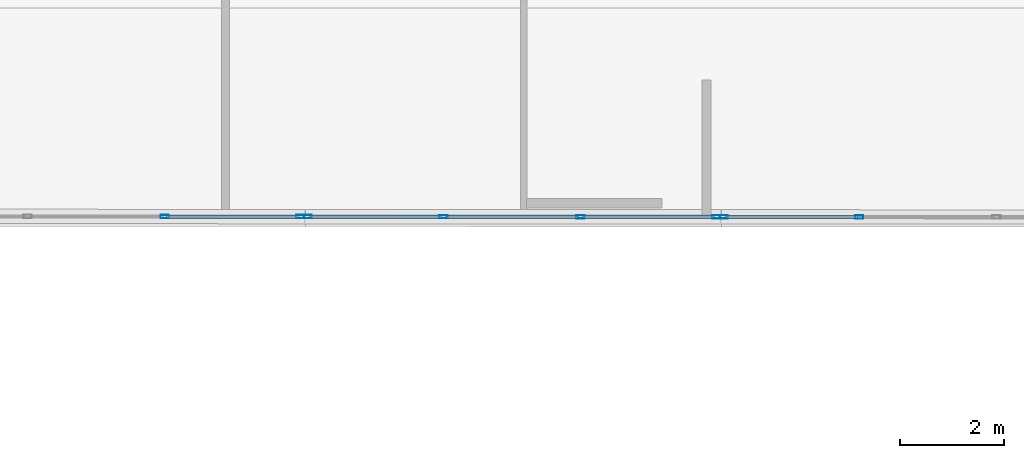
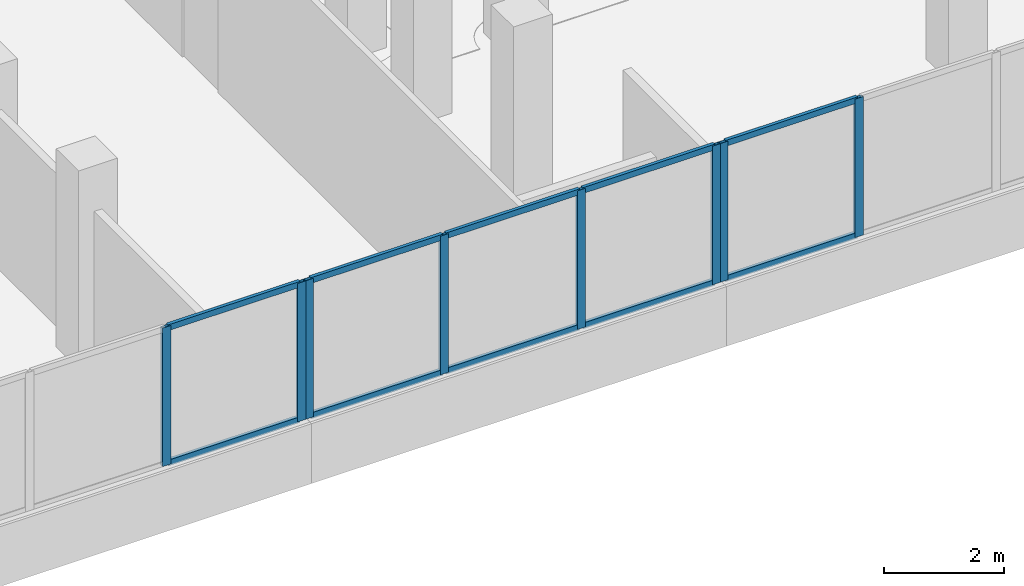
# One storey, part 29 of 101: 18 members, 3 elements without a shape of their own.
"""IFC4 building model written with IfcOpenShell, lengths in metres."""

from ifc_helpers import new_model, si_unit, direction, frame, origin, origin_2d, place, context, subcontext, project, spatial, hollow_rectangle, extrude, material, material_profile, profile_set, type_object, element, aggregate, save


model = new_model("IFC4")

# Units and contexts
model_context = context("Model", 3, precision=1e-05, world=origin(), true_north=direction((0.0, 1.0)))
body_context = subcontext(model_context, "Body", "Model", "MODEL_VIEW")
ifc_project = project(units=[si_unit("LENGTHUNIT", "METRE"), si_unit("AREAUNIT", "SQUARE_METRE"), si_unit("VOLUMEUNIT", "CUBIC_METRE"), si_unit("PLANEANGLEUNIT", "RADIAN"), si_unit("MASSUNIT", "GRAM", prefix="KILO")], contexts=[model_context])

# Site, building, storey
site_placement = place(None, origin())
site = spatial("IfcSite", under=ifc_project, at=site_placement, CompositionType="ELEMENT")
building_placement = place(site_placement, origin())
building = spatial("IfcBuilding", under=site, at=building_placement, Name="Selatvlak General Hospital", CompositionType="ELEMENT")
storey_placement = place(building_placement, frame((0.0, 0.0, 19.199951171875)))
storey = spatial("IfcBuildingStorey", under=building, at=storey_placement, Name="L04", CompositionType="ELEMENT", Elevation=19.199951171875)

# Curtain wall, members
ifc_material_1 = material(Name="Solar-control Low-E double glazing", Category="glass")
curtain_wall_type_1 = type_object("IfcCurtainWallType", Name="CW-CW-02", PredefinedType="USERDEFINED", material=ifc_material_1)
curtain_wall_1_placement = place(storey_placement, origin())
curtain_wall_1 = element("IfcCurtainWall", 1, at=curtain_wall_1_placement, inside=storey, type_object=curtain_wall_type_1, Name="Glazed facade curtain wall CW-L04-0513", ObjectType="UNITISED CURTAIN WALL", PredefinedType="USERDEFINED")
ifc_material_2 = material(Name="Dark anodised aluminium mullion", Category="aluminium")
ifc_material_profile_1 = material_profile(ifc_material_2, hollow_rectangle(XDim=0.06494140625, YDim=0.159912109375, WallThickness=0.00390625, at=origin_2d()), Name="AL-MUL 65x160x4")
ifc_profile_set_1 = profile_set([ifc_material_profile_1], Name="Dark anodised aluminium mullion")
member_type_1 = type_object("IfcMemberType", Name="CWM-01", PredefinedType="MULLION", material=ifc_profile_set_1)
member_1_placement = place(storey_placement, frame((60.20166015625, 83.975341796875, 0.93994140625), z_axis=(0.0, 0.0, 1.0), x_axis=(-0.000630675957, -0.999999801124, 0.0)))
member_1 = element("IfcMember", 2, at=member_1_placement, type_object=member_type_1, Name="CW-02 mullion 3", PredefinedType="MULLION", context=body_context, shape_type="SweptSolid", body=[
    extrude(hollow_rectangle(XDim=0.06494140625, YDim=0.159912109375, WallThickness=0.00390625, at=origin_2d()), origin(), (0.0, 0.0, 1.0), 2.830078125),
])
member_2_placement = place(storey_placement, frame((57.591552734375, 83.97705078125, 0.93994140625), z_axis=(0.0, 0.0, 1.0), x_axis=(-0.000630675957, -0.999999801124, 0.0)))
member_2 = element("IfcMember", 3, at=member_2_placement, type_object=member_type_1, Name="CW-02 mullion 4", PredefinedType="MULLION", context=body_context, shape_type="SweptSolid", body=[
    extrude(hollow_rectangle(XDim=0.06494140625, YDim=0.159912109375, WallThickness=0.00390625, at=origin_2d()), origin(), (0.0, 0.0, 1.0), 2.830078125),
])

curtain_wall_type_2 = type_object("IfcCurtainWallType", Name="CW-CW-01", PredefinedType="USERDEFINED", material=ifc_material_1)
curtain_wall_2_placement = place(storey_placement, origin())
curtain_wall_2 = element("IfcCurtainWall", 4, at=curtain_wall_2_placement, inside=storey, type_object=curtain_wall_type_2, Name="Glazed facade curtain wall CW-L04-0514", ObjectType="UNITISED CURTAIN WALL", PredefinedType="USERDEFINED")
member_3_placement = place(storey_placement, frame((57.446533203125, 83.97705078125, 0.93994140625), z_axis=(0.0, 0.0, 1.0), x_axis=(-0.000630675957, -0.999999801124, 0.0)))
member_3 = element("IfcMember", 5, at=member_3_placement, type_object=member_type_1, Name="CW-01 mullion 1", PredefinedType="MULLION", context=body_context, shape_type="SweptSolid", body=[
    extrude(hollow_rectangle(XDim=0.06494140625, YDim=0.159912109375, WallThickness=0.00390625, at=origin_2d()), origin(), (0.0, 0.0, 1.0), 2.830078125),
])
member_4_placement = place(storey_placement, frame((54.83642578125, 83.978759765625, 0.93994140625), z_axis=(0.0, 0.0, 1.0), x_axis=(-0.000630675957, -0.999999801124, 0.0)))
member_4 = element("IfcMember", 6, at=member_4_placement, type_object=member_type_1, Name="CW-01 mullion 2", PredefinedType="MULLION", context=body_context, shape_type="SweptSolid", body=[
    extrude(hollow_rectangle(XDim=0.06494140625, YDim=0.159912109375, WallThickness=0.00390625, at=origin_2d()), origin(), (0.0, 0.0, 1.0), 2.830078125),
])
member_5_placement = place(storey_placement, frame((52.193603515625, 83.980224609375, 0.93994140625), z_axis=(0.0, 0.0, 1.0), x_axis=(-0.000630675957, -0.999999801124, 0.0)))
member_5 = element("IfcMember", 7, at=member_5_placement, type_object=member_type_1, Name="CW-01 mullion 3", PredefinedType="MULLION", context=body_context, shape_type="SweptSolid", body=[
    extrude(hollow_rectangle(XDim=0.06494140625, YDim=0.159912109375, WallThickness=0.00390625, at=origin_2d()), origin(), (0.0, 0.0, 1.0), 2.830078125),
])
member_6_placement = place(storey_placement, frame((49.58349609375, 83.98193359375, 0.93994140625), z_axis=(0.0, 0.0, 1.0), x_axis=(-0.000630675957, -0.999999801124, 0.0)))
member_6 = element("IfcMember", 8, at=member_6_placement, type_object=member_type_1, Name="CW-01 mullion 4", PredefinedType="MULLION", context=body_context, shape_type="SweptSolid", body=[
    extrude(hollow_rectangle(XDim=0.06494140625, YDim=0.159912109375, WallThickness=0.00390625, at=origin_2d()), origin(), (0.0, 0.0, 1.0), 2.830078125),
])

curtain_wall_3_placement = place(storey_placement, origin())
curtain_wall_3 = element("IfcCurtainWall", 9, at=curtain_wall_3_placement, inside=storey, type_object=curtain_wall_type_1, Name="Glazed facade curtain wall CW-L04-0515", ObjectType="UNITISED CURTAIN WALL", PredefinedType="USERDEFINED")
member_7_placement = place(storey_placement, frame((49.4384765625, 83.98193359375, 0.93994140625), z_axis=(0.0, 0.0, 1.0), x_axis=(-0.000756811082, -0.999999713618, 0.0)))
member_7 = element("IfcMember", 10, at=member_7_placement, type_object=member_type_1, Name="CW-02 mullion 1", PredefinedType="MULLION", context=body_context, shape_type="SweptSolid", body=[
    extrude(hollow_rectangle(XDim=0.06494140625, YDim=0.159912109375, WallThickness=0.00390625, at=origin_2d()), origin(), (0.0, 0.0, 1.0), 2.830078125),
])
member_8_placement = place(storey_placement, frame((46.828369140625, 83.98388671875, 0.93994140625), z_axis=(0.0, 0.0, 1.0), x_axis=(-0.000756811082, -0.999999713618, 0.0)))
member_8 = element("IfcMember", 11, at=member_8_placement, type_object=member_type_1, Name="CW-02 mullion 2", PredefinedType="MULLION", context=body_context, shape_type="SweptSolid", body=[
    extrude(hollow_rectangle(XDim=0.06494140625, YDim=0.159912109375, WallThickness=0.00390625, at=origin_2d()), origin(), (0.0, 0.0, 1.0), 2.830078125),
])

# Member
ifc_material_profile_2 = material_profile(ifc_material_2, hollow_rectangle(XDim=0.06494140625, YDim=0.1201171875, WallThickness=0.00390625, at=origin_2d()), Name="AL-TRN 65x120x4")
ifc_profile_set_2 = profile_set([ifc_material_profile_2], Name="Dark anodised aluminium mullion")
member_type_2 = type_object("IfcMemberType", Name="CWT-01", PredefinedType="USERDEFINED", material=ifc_profile_set_2)
member_9_placement = place(storey_placement, frame((60.169189453125, 83.975341796875, 0.97265625), z_axis=(-0.999999774569, 0.000671462678, 0.0), x_axis=(-0.000671462678, -0.999999774569, 0.0)))
member_9 = element("IfcMember", 12, at=member_9_placement, type_object=member_type_2, Name="CW-02 transom 3.1", ObjectType="TRANSOM", PredefinedType="USERDEFINED", context=body_context, shape_type="SweptSolid", body=[
    extrude(hollow_rectangle(XDim=0.06494140625, YDim=0.1201171875, WallThickness=0.00390625, at=origin_2d()), origin(), (0.0, 0.0, 1.0), 2.545166015625),
])

member_10_placement = place(storey_placement, frame((60.169189453125, 83.975341796875, 3.737548828125), z_axis=(-0.999999774569, 0.000671462678, 0.0), x_axis=(-0.000671462678, -0.999999774569, 0.0)))
member_10 = element("IfcMember", 13, at=member_10_placement, type_object=member_type_2, Name="CW-02 transom 3.2", ObjectType="TRANSOM", PredefinedType="USERDEFINED", context=body_context, shape_type="SweptSolid", body=[
    extrude(hollow_rectangle(XDim=0.06494140625, YDim=0.1201171875, WallThickness=0.00390625, at=origin_2d()), origin(), (0.0, 0.0, 1.0), 2.545166015625),
])

aggregate(curtain_wall_1, [member_1, member_2, member_9, member_10])

member_11_placement = place(storey_placement, frame((57.4140625, 83.97705078125, 0.97265625), z_axis=(-0.999999774569, 0.000671462678, 0.0), x_axis=(-0.000671462678, -0.999999774569, 0.0)))
member_11 = element("IfcMember", 14, at=member_11_placement, type_object=member_type_2, Name="CW-01 transom 1.1", ObjectType="TRANSOM", PredefinedType="USERDEFINED", context=body_context, shape_type="SweptSolid", body=[
    extrude(hollow_rectangle(XDim=0.06494140625, YDim=0.1201171875, WallThickness=0.00390625, at=origin_2d()), origin(), (0.0, 0.0, 1.0), 2.545166015625),
])

member_12_placement = place(storey_placement, frame((57.4140625, 83.97705078125, 3.737548828125), z_axis=(-0.999999774569, 0.000671462678, 0.0), x_axis=(-0.000671462678, -0.999999774569, 0.0)))
member_12 = element("IfcMember", 15, at=member_12_placement, type_object=member_type_2, Name="CW-01 transom 1.2", ObjectType="TRANSOM", PredefinedType="USERDEFINED", context=body_context, shape_type="SweptSolid", body=[
    extrude(hollow_rectangle(XDim=0.06494140625, YDim=0.1201171875, WallThickness=0.00390625, at=origin_2d()), origin(), (0.0, 0.0, 1.0), 2.545166015625),
])

member_13_placement = place(storey_placement, frame((54.803955078125, 83.978759765625, 0.97265625), z_axis=(-0.999999838554, 0.000568235537, 0.0), x_axis=(-0.000568235537, -0.999999838554, 0.0)))
member_13 = element("IfcMember", 16, at=member_13_placement, type_object=member_type_2, Name="CW-01 transom 2.1", ObjectType="TRANSOM", PredefinedType="USERDEFINED", context=body_context, shape_type="SweptSolid", body=[
    extrude(hollow_rectangle(XDim=0.06494140625, YDim=0.1201171875, WallThickness=0.00390625, at=origin_2d()), origin(), (0.0, 0.0, 1.0), 2.577880859375),
])

member_14_placement = place(storey_placement, frame((54.803955078125, 83.978759765625, 3.737548828125), z_axis=(-0.999999838554, 0.000568235537, 0.0), x_axis=(-0.000568235537, -0.999999838554, 0.0)))
member_14 = element("IfcMember", 17, at=member_14_placement, type_object=member_type_2, Name="CW-01 transom 2.2", ObjectType="TRANSOM", PredefinedType="USERDEFINED", context=body_context, shape_type="SweptSolid", body=[
    extrude(hollow_rectangle(XDim=0.06494140625, YDim=0.1201171875, WallThickness=0.00390625, at=origin_2d()), origin(), (0.0, 0.0, 1.0), 2.577880859375),
])

member_15_placement = place(storey_placement, frame((52.1611328125, 83.98046875, 0.97265625), z_axis=(-0.999999834377, 0.000575539473, 0.0), x_axis=(-0.000575539473, -0.999999834377, 0.0)))
member_15 = element("IfcMember", 18, at=member_15_placement, type_object=member_type_2, Name="CW-01 transom 3.1", ObjectType="TRANSOM", PredefinedType="USERDEFINED", context=body_context, shape_type="SweptSolid", body=[
    extrude(hollow_rectangle(XDim=0.06494140625, YDim=0.1201171875, WallThickness=0.00390625, at=origin_2d()), origin(), (0.0, 0.0, 1.0), 2.545166015625),
])

member_16_placement = place(storey_placement, frame((52.1611328125, 83.98046875, 3.737548828125), z_axis=(-0.999999834377, 0.000575539473, 0.0), x_axis=(-0.000575539473, -0.999999834377, 0.0)))
member_16 = element("IfcMember", 19, at=member_16_placement, type_object=member_type_2, Name="CW-01 transom 3.2", ObjectType="TRANSOM", PredefinedType="USERDEFINED", context=body_context, shape_type="SweptSolid", body=[
    extrude(hollow_rectangle(XDim=0.06494140625, YDim=0.1201171875, WallThickness=0.00390625, at=origin_2d()), origin(), (0.0, 0.0, 1.0), 2.545166015625),
])

aggregate(curtain_wall_2, [member_3, member_4, member_5, member_6, member_11, member_12, member_13, member_14, member_15, member_16])

member_17_placement = place(storey_placement, frame((49.406005859375, 83.98193359375, 0.97265625), z_axis=(-0.999999705559, 0.000767385865, 0.0), x_axis=(-0.000767385865, -0.999999705559, 0.0)))
member_17 = element("IfcMember", 20, at=member_17_placement, type_object=member_type_2, Name="CW-02 transom 1.1", ObjectType="TRANSOM", PredefinedType="USERDEFINED", context=body_context, shape_type="SweptSolid", body=[
    extrude(hollow_rectangle(XDim=0.06494140625, YDim=0.1201171875, WallThickness=0.00390625, at=origin_2d()), origin(), (0.0, 0.0, 1.0), 2.545166015625),
])

member_18_placement = place(storey_placement, frame((49.406005859375, 83.98193359375, 3.737548828125), z_axis=(-0.999999705559, 0.000767385865, 0.0), x_axis=(-0.000767385865, -0.999999705559, 0.0)))
member_18 = element("IfcMember", 21, at=member_18_placement, type_object=member_type_2, Name="CW-02 transom 1.2", ObjectType="TRANSOM", PredefinedType="USERDEFINED", context=body_context, shape_type="SweptSolid", body=[
    extrude(hollow_rectangle(XDim=0.06494140625, YDim=0.1201171875, WallThickness=0.00390625, at=origin_2d()), origin(), (0.0, 0.0, 1.0), 2.545166015625),
])

aggregate(curtain_wall_3, [member_7, member_8, member_17, member_18])

save(model, "model.ifc")
